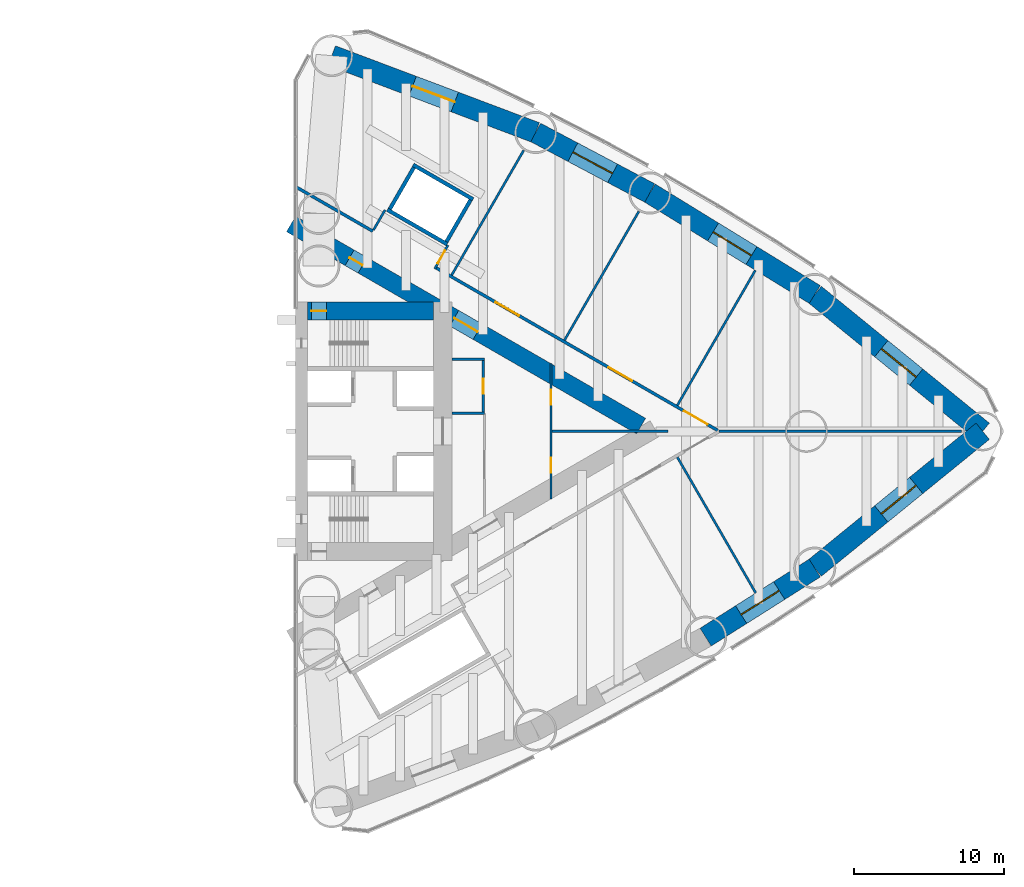
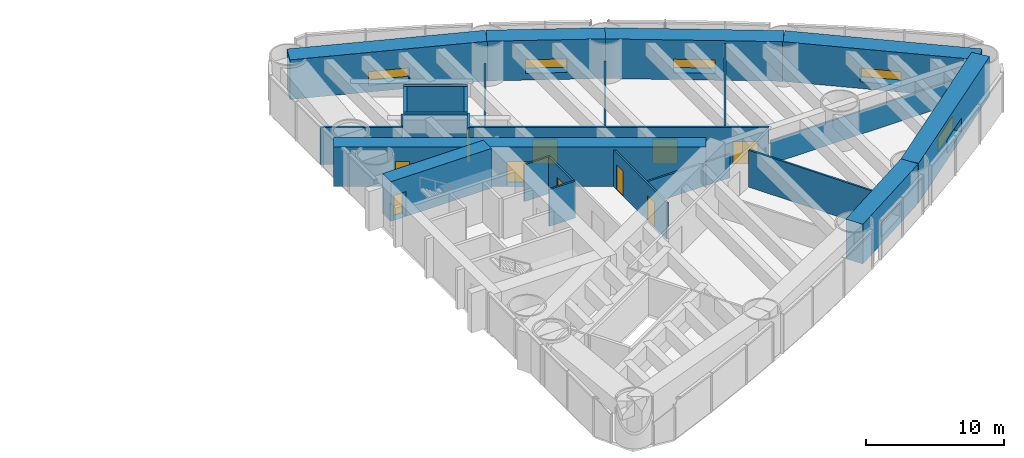
# One storey, part 18 of 20: 26 walls, 10 doors, 6 windows, 16 openings.
"""IFC4 building model written with IfcOpenShell, lengths in metres."""

from ifc_helpers import new_model, si_unit, direction, frame, frame_2d, origin, place, context, subcontext, project, spatial, rectangle, extrude, material, layer, layer_set, type_object, element, fill, save


model = new_model("IFC4")

# Units and contexts
model_context = context("Model", 3, precision=1e-05, world=origin(), true_north=direction((0.0, 1.0)))
body_context = subcontext(model_context, "Body", "Model", "MODEL_VIEW")
ifc_project = project(units=[si_unit("LENGTHUNIT", "METRE"), si_unit("AREAUNIT", "SQUARE_METRE"), si_unit("VOLUMEUNIT", "CUBIC_METRE"), si_unit("PLANEANGLEUNIT", "RADIAN"), si_unit("MASSUNIT", "GRAM", prefix="KILO")], contexts=[model_context])

# Site, building, storey
site_placement = place(None, origin())
site = spatial("IfcSite", under=ifc_project, at=site_placement, CompositionType="ELEMENT")
building_placement = place(site_placement, origin())
building = spatial("IfcBuilding", under=site, at=building_placement, Name="Lancet Gate Hotel", CompositionType="ELEMENT")
storey_placement = place(building_placement, frame((0.0, 0.0, 77.5)))
storey = spatial("IfcBuildingStorey", under=building, at=storey_placement, Name="L20", CompositionType="ELEMENT", Elevation=77.5)

# Wall, opening, window
ifc_material_1 = material(Name="Concrete C80/95", Category="concrete")
ifc_layer_1 = layer(ifc_material_1, 1.39990234375)
ifc_layer_set_1 = layer_set([ifc_layer_1], Name="Belt wall 1400")
wall_type_1 = type_object("IfcWallType", Name="Belt wall 1400", PredefinedType="SHEAR", material=ifc_layer_set_1)
wall_1_placement = place(storey_placement, frame((54.795166015625, -13.70068359375, 0.0), z_axis=(0.0, 0.0, 1.0), x_axis=(0.845078312276, 0.534642540508, 0.0)))
wall_1 = element("IfcWall", 1, at=wall_1_placement, inside=storey, type_object=wall_type_1, Name="T2 belt wall OS2-OS3 L20", PredefinedType="SHEAR", context=body_context, shape_type="SweptSolid", body=[
    extrude(rectangle(XDim=8.595947265625, YDim=1.39990234375, at=frame_2d((4.2978515625, 0.0))), origin(), (0.0, 0.0, 1.0), 3.5),
])
opening_1_placement = place(wall_1_placement, frame((2.7978515625, 0.0, 0.60009765625)))
opening_1 = element("IfcOpeningElement", 2, at=opening_1_placement, cuts=wall_1, Name="Opening LV1", PredefinedType="OPENING", context=body_context, shape_type="SweptSolid", body=[
    extrude(rectangle(XDim=3.0, YDim=1.199951171875, at=frame_2d((1.5, 0.60009765625))), frame((0.0, 0.7099609375, 0.0), z_axis=(0.0, -1.0, 0.0), x_axis=(1.0, 0.0, 0.0)), (0.0, 0.0, 1.0), 1.419921875),
])
ifc_material_2 = material(Name="Aluminium weather louvre", Category="aluminium")
window_type = type_object("IfcWindowType", Name="Refuge louvre 3000x1200", PartitioningType="SINGLE_PANEL", PredefinedType="WINDOW", material=ifc_material_2)
window_1_placement = place(opening_1_placement, origin())
window_1 = element("IfcWindow", 3, at=window_1_placement, inside=storey, type_object=window_type, Name="T2 belt louvre OS2-OS3 L20", OverallHeight=1.199951171875, OverallWidth=3.0, PartitioningType="SINGLE_PANEL", PredefinedType="WINDOW", context=body_context, shape_type="SweptSolid", body=[
    extrude(rectangle(XDim=3.0, YDim=1.199951171875, at=frame_2d((1.5, 0.60009765625))), frame((0.0, 0.030029296875, 0.0), z_axis=(0.0, -1.0, 0.0), x_axis=(1.0, 0.0, 0.0)), (0.0, 0.0, 1.0), 0.06005859375),
])
fill(opening_1, window_1)

wall_2_placement = place(storey_placement, frame((62.059326171875, -9.10498046875, 0.0), z_axis=(0.0, 0.0, 1.0), x_axis=(0.775390970005, 0.631481467372, 0.0)))
wall_2 = element("IfcWall", 4, at=wall_2_placement, inside=storey, type_object=wall_type_1, Name="T2 belt wall OS3-CA L20", PredefinedType="SHEAR", context=body_context, shape_type="SweptSolid", body=[
    extrude(rectangle(XDim=14.41845703125, YDim=1.39990234375, at=frame_2d((7.209228515625, 0.0))), origin(), (0.0, 0.0, 1.0), 3.5),
])
opening_2_placement = place(wall_2_placement, frame((5.709228515625, 0.0, 0.60009765625)))
opening_2 = element("IfcOpeningElement", 5, at=opening_2_placement, cuts=wall_2, Name="Opening LV1", PredefinedType="OPENING", context=body_context, shape_type="SweptSolid", body=[
    extrude(rectangle(XDim=3.0, YDim=1.199951171875, at=frame_2d((1.5, 0.60009765625))), frame((0.0, 0.7099609375, 0.0), z_axis=(0.0, -1.0, 0.0), x_axis=(1.0, 0.0, 0.0)), (0.0, 0.0, 1.0), 1.419921875),
])
window_2_placement = place(opening_2_placement, origin())
window_2 = element("IfcWindow", 6, at=window_2_placement, inside=storey, type_object=window_type, Name="T2 belt louvre OS3-CA L20", OverallHeight=1.199951171875, OverallWidth=3.0, PartitioningType="SINGLE_PANEL", PredefinedType="WINDOW", context=body_context, shape_type="SweptSolid", body=[
    extrude(rectangle(XDim=3.0, YDim=1.199951171875, at=frame_2d((1.5, 0.60009765625))), frame((0.0, 0.030029296875, 0.0), z_axis=(0.0, -1.0, 0.0), x_axis=(1.0, 0.0, 0.0)), (0.0, 0.0, 1.0), 0.06005859375),
])
fill(opening_2, window_2)

wall_3_placement = place(storey_placement, frame((73.2392578125, 0.0, 0.0), z_axis=(0.0, 0.0, 1.0), x_axis=(-0.775390970005, 0.631481467372, 0.0)))
wall_3 = element("IfcWall", 7, at=wall_3_placement, inside=storey, type_object=wall_type_1, Name="T2 belt wall CA-ON1 L20", PredefinedType="SHEAR", context=body_context, shape_type="SweptSolid", body=[
    extrude(rectangle(XDim=14.41845703125, YDim=1.39990234375, at=frame_2d((7.209228515625, 0.0))), origin(), (0.0, 0.0, 1.0), 3.5),
])
opening_3_placement = place(wall_3_placement, frame((5.709228515625, 0.0, 0.60009765625)))
opening_3 = element("IfcOpeningElement", 8, at=opening_3_placement, cuts=wall_3, Name="Opening LV1", PredefinedType="OPENING", context=body_context, shape_type="SweptSolid", body=[
    extrude(rectangle(XDim=3.0, YDim=1.199951171875, at=frame_2d((1.5, 0.60009765625))), frame((0.0, 0.7099609375, 0.0), z_axis=(0.0, -1.0, 0.0), x_axis=(1.0, 0.0, 0.0)), (0.0, 0.0, 1.0), 1.419921875),
])
window_3_placement = place(opening_3_placement, origin())
window_3 = element("IfcWindow", 9, at=window_3_placement, inside=storey, type_object=window_type, Name="T2 belt louvre CA-ON1 L20", OverallHeight=1.199951171875, OverallWidth=3.0, PartitioningType="SINGLE_PANEL", PredefinedType="WINDOW", context=body_context, shape_type="SweptSolid", body=[
    extrude(rectangle(XDim=3.0, YDim=1.199951171875, at=frame_2d((1.5, 0.60009765625))), frame((0.0, 0.030029296875, 0.0), z_axis=(0.0, -1.0, 0.0), x_axis=(1.0, 0.0, 0.0)), (0.0, 0.0, 1.0), 0.06005859375),
])
fill(opening_3, window_3)

wall_4_placement = place(storey_placement, frame((62.059326171875, 9.10498046875, 0.0), z_axis=(0.0, 0.0, 1.0), x_axis=(-0.851815628025, 0.523841708775, 0.0)))
wall_4 = element("IfcWall", 10, at=wall_4_placement, inside=storey, type_object=wall_type_1, Name="T2 belt wall ON1-ON2 L20", PredefinedType="SHEAR", context=body_context, shape_type="SweptSolid", body=[
    extrude(rectangle(XDim=12.89208984375, YDim=1.39990234375, at=frame_2d((6.446044921875, 0.0))), origin(), (0.0, 0.0, 1.0), 3.5),
])
opening_4_placement = place(wall_4_placement, frame((4.946044921875, 0.0, 0.60009765625)))
opening_4 = element("IfcOpeningElement", 11, at=opening_4_placement, cuts=wall_4, Name="Opening LV1", PredefinedType="OPENING", context=body_context, shape_type="SweptSolid", body=[
    extrude(rectangle(XDim=3.0, YDim=1.199951171875, at=frame_2d((1.5, 0.60009765625))), frame((0.0, 0.7099609375, 0.0), z_axis=(0.0, -1.0, 0.0), x_axis=(1.0, 0.0, 0.0)), (0.0, 0.0, 1.0), 1.419921875),
])
window_4_placement = place(opening_4_placement, origin())
window_4 = element("IfcWindow", 12, at=window_4_placement, inside=storey, type_object=window_type, Name="T2 belt louvre ON1-ON2 L20", OverallHeight=1.199951171875, OverallWidth=3.0, PartitioningType="SINGLE_PANEL", PredefinedType="WINDOW", context=body_context, shape_type="SweptSolid", body=[
    extrude(rectangle(XDim=3.0, YDim=1.199951171875, at=frame_2d((1.5, 0.60009765625))), frame((0.0, 0.030029296875, 0.0), z_axis=(0.0, -1.0, 0.0), x_axis=(1.0, 0.0, 0.0)), (0.0, 0.0, 1.0), 0.06005859375),
])
fill(opening_4, window_4)

wall_5_placement = place(storey_placement, frame((51.07763671875, 15.8583984375, 0.0), z_axis=(0.0, 0.0, 1.0), x_axis=(-0.883403493655, 0.46861313191, 0.0)))
wall_5 = element("IfcWall", 13, at=wall_5_placement, inside=storey, type_object=wall_type_1, Name="T2 belt wall ON2-ON3 L20", PredefinedType="SHEAR", context=body_context, shape_type="SweptSolid", body=[
    extrude(rectangle(XDim=8.595703125, YDim=1.39990234375, at=frame_2d((4.2978515625, 0.0))), origin(), (0.0, 0.0, 1.0), 3.5),
])
opening_5_placement = place(wall_5_placement, frame((2.7978515625, 0.0, 0.60009765625)))
opening_5 = element("IfcOpeningElement", 14, at=opening_5_placement, cuts=wall_5, Name="Opening LV1", PredefinedType="OPENING", context=body_context, shape_type="SweptSolid", body=[
    extrude(rectangle(XDim=3.0, YDim=1.199951171875, at=frame_2d((1.5, 0.60009765625))), frame((0.0, 0.7099609375, 0.0), z_axis=(0.0, -1.0, 0.0), x_axis=(1.0, 0.0, 0.0)), (0.0, 0.0, 1.0), 1.419921875),
])
window_5_placement = place(opening_5_placement, origin())
window_5 = element("IfcWindow", 15, at=window_5_placement, inside=storey, type_object=window_type, Name="T2 belt louvre ON2-ON3 L20", OverallHeight=1.199951171875, OverallWidth=3.0, PartitioningType="SINGLE_PANEL", PredefinedType="WINDOW", context=body_context, shape_type="SweptSolid", body=[
    extrude(rectangle(XDim=3.0, YDim=1.199951171875, at=frame_2d((1.5, 0.60009765625))), frame((0.0, 0.030029296875, 0.0), z_axis=(0.0, -1.0, 0.0), x_axis=(1.0, 0.0, 0.0)), (0.0, 0.0, 1.0), 0.06005859375),
])
fill(opening_5, window_5)

wall_6_placement = place(storey_placement, frame((43.484130859375, 19.886474609375, 0.0), z_axis=(0.0, 0.0, 1.0), x_axis=(-0.935736448066, 0.352700013836, 0.0)))
wall_6 = element("IfcWall", 16, at=wall_6_placement, inside=storey, type_object=wall_type_1, Name="T2 belt wall ON3-CN L20", PredefinedType="SHEAR", context=body_context, shape_type="SweptSolid", body=[
    extrude(rectangle(XDim=14.505126953125, YDim=1.39990234375, at=frame_2d((7.25244140625, 0.0))), origin(), (0.0, 0.0, 1.0), 3.5),
])
opening_6_placement = place(wall_6_placement, frame((5.75244140625, 0.0, 0.60009765625)))
opening_6 = element("IfcOpeningElement", 17, at=opening_6_placement, cuts=wall_6, Name="Opening LV1", PredefinedType="OPENING", context=body_context, shape_type="SweptSolid", body=[
    extrude(rectangle(XDim=3.0, YDim=1.199951171875, at=frame_2d((1.5, 0.60009765625))), frame((0.0, 0.7099609375, 0.0), z_axis=(0.0, -1.0, 0.0), x_axis=(1.0, 0.0, 0.0)), (0.0, 0.0, 1.0), 1.419921875),
])
window_6_placement = place(opening_6_placement, origin())
window_6 = element("IfcWindow", 18, at=window_6_placement, inside=storey, type_object=window_type, Name="T2 belt louvre ON3-CN L20", OverallHeight=1.199951171875, OverallWidth=3.0, PartitioningType="SINGLE_PANEL", PredefinedType="WINDOW", context=body_context, shape_type="SweptSolid", body=[
    extrude(rectangle(XDim=3.0, YDim=1.199951171875, at=frame_2d((1.5, 0.60009765625))), frame((0.0, 0.030029296875, 0.0), z_axis=(0.0, -1.0, 0.0), x_axis=(1.0, 0.0, 0.0)), (0.0, 0.0, 1.0), 0.06005859375),
])
fill(opening_6, window_6)

# Wall, openings, doors
ifc_material_3 = material(Name="Concrete C70/85", Category="concrete")
ifc_layer_2 = layer(ifc_material_3, 1.199951171875)
ifc_layer_set_2 = layer_set([ifc_layer_2], Name="Buttress wall 1200")
wall_type_2 = type_object("IfcWallType", Name="Buttress wall 1200", PredefinedType="SHEAR", material=ifc_layer_set_2)
wall_7_placement = place(storey_placement, frame((27.199951171875, 13.800048828125, 0.0), z_axis=(0.0, 0.0, 1.0), x_axis=(0.866024515034, -0.500001539357, 0.0)))
wall_7 = element("IfcWall", 19, at=wall_7_placement, inside=storey, type_object=wall_type_2, Name="T2 buttress wall N L20", PredefinedType="SHEAR", context=body_context, shape_type="SweptSolid", body=[
    extrude(rectangle(XDim=26.9072265625, YDim=1.199951171875, at=frame_2d((13.45361328125, 0.0))), origin(), (0.0, 0.0, 1.0), 3.5),
])
opening_7_placement = place(wall_7_placement, frame((4.5, 0.0, 0.0)))
opening_7 = element("IfcOpeningElement", 20, at=opening_7_placement, cuts=wall_7, Name="Opening T2-L20-LN", PredefinedType="OPENING", context=body_context, shape_type="SweptSolid", body=[
    extrude(rectangle(XDim=1.0, YDim=2.199951171875, at=frame_2d((0.5, 1.10009765625))), frame((0.0, 0.60986328125, 0.0), z_axis=(0.0, -1.0, 0.0), x_axis=(1.0, 0.0, 0.0)), (0.0, 0.0, 1.0), 1.219970703125),
])
opening_8_placement = place(wall_7_placement, frame((12.544921875, 0.0, 0.0)))
opening_8 = element("IfcOpeningElement", 21, at=opening_8_placement, cuts=wall_7, Name="Opening T2-L20-LHN", PredefinedType="OPENING", context=body_context, shape_type="SweptSolid", body=[
    extrude(rectangle(XDim=1.800048828125, YDim=2.199951171875, at=frame_2d((0.89990234375, 1.10009765625))), frame((0.0, 0.60986328125, 0.0), z_axis=(0.0, -1.0, 0.0), x_axis=(1.0, 0.0, 0.0)), (0.0, 0.0, 1.0), 1.219970703125),
])
ifc_material_4 = material(Name="Timber door set", Category="wood")
door_type_1 = type_object("IfcDoorType", Name="Lobby double door 1800", OperationType="DOUBLE_DOOR_SINGLE_SWING", PredefinedType="DOOR", material=ifc_material_4)
door_1_placement = place(opening_8_placement, origin())
door_1 = element("IfcDoor", 22, at=door_1_placement, inside=storey, type_object=door_type_1, Name="T2-L20-LHN", OperationType="DOUBLE_DOOR_SINGLE_SWING", OverallHeight=2.199951171875, OverallWidth=1.800048828125, PredefinedType="DOOR", context=body_context, shape_type="SweptSolid", body=[
    extrude(rectangle(XDim=1.800048828125, YDim=2.199951171875, at=frame_2d((0.89990234375, 1.10009765625))), frame((0.0, 0.02490234375, 0.0), z_axis=(0.0, -1.0, 0.0), x_axis=(1.0, 0.0, 0.0)), (0.0, 0.0, 1.0), 0.050048828125),
])
fill(opening_8, door_1)
ifc_material_5 = material(Name="Timber door set", Category="wood")
door_type_2 = type_object("IfcDoorType", Name="Stair lobby door 1000", OperationType="SINGLE_SWING_LEFT", PredefinedType="DOOR", material=ifc_material_5)
door_2_placement = place(opening_7_placement, origin())
door_2 = element("IfcDoor", 23, at=door_2_placement, inside=storey, type_object=door_type_2, Name="T2-L20-LN", OperationType="SINGLE_SWING_LEFT", OverallHeight=2.199951171875, OverallWidth=1.0, PredefinedType="DOOR", context=body_context, shape_type="SweptSolid", body=[
    extrude(rectangle(XDim=1.0, YDim=2.199951171875, at=frame_2d((0.5, 1.10009765625))), frame((0.0, 0.02490234375, 0.0), z_axis=(0.0, -1.0, 0.0), x_axis=(1.0, 0.0, 0.0)), (0.0, 0.0, 1.0), 0.050048828125),
])
fill(opening_7, door_2)

# Wall, opening, door
ifc_material_6 = material(Name="Concrete C70/85", Category="concrete")
ifc_layer_3 = layer(ifc_material_6, 1.199951171875)
ifc_layer_set_3 = layer_set([ifc_layer_3], Name="Core wall 1200")
wall_type_3 = type_object("IfcWallType", Name="Core wall 1200", PredefinedType="SHEAR", material=ifc_layer_set_3)
wall_8_placement = place(storey_placement, frame((28.300048828125, 8.0, 0.0), z_axis=(0.0, 0.0, 1.0), x_axis=(1.0, 0.0, 0.0)))
wall_8 = element("IfcWall", 24, at=wall_8_placement, inside=storey, type_object=wall_type_3, Name="T2 core wall side-N L20", PredefinedType="SHEAR", context=body_context, shape_type="SweptSolid", body=[
    extrude(rectangle(XDim=8.39990234375, YDim=1.199951171875, at=frame_2d((4.199951171875, 0.0))), origin(), (0.0, 0.0, 1.0), 3.5),
])
opening_9_placement = place(wall_8_placement, frame((0.25, 0.0, 0.0)))
opening_9 = element("IfcOpeningElement", 25, at=opening_9_placement, cuts=wall_8, Name="Opening T2-L20-ST2", PredefinedType="OPENING", context=body_context, shape_type="SweptSolid", body=[
    extrude(rectangle(XDim=1.0, YDim=2.199951171875, at=frame_2d((0.5, 1.10009765625))), frame((0.0, 0.60986328125, 0.0), z_axis=(0.0, -1.0, 0.0), x_axis=(1.0, 0.0, 0.0)), (0.0, 0.0, 1.0), 1.219970703125),
])
ifc_material_7 = material(Name="Timber door set", Category="wood")
door_type_3 = type_object("IfcDoorType", Name="Stair door 1000", OperationType="SINGLE_SWING_RIGHT", PredefinedType="DOOR", material=ifc_material_7)
door_3_placement = place(opening_9_placement, origin())
door_3 = element("IfcDoor", 26, at=door_3_placement, inside=storey, type_object=door_type_3, Name="T2-L20-ST2", OperationType="SINGLE_SWING_RIGHT", OverallHeight=2.199951171875, OverallWidth=1.0, PredefinedType="DOOR", context=body_context, shape_type="SweptSolid", body=[
    extrude(rectangle(XDim=1.0, YDim=2.199951171875, at=frame_2d((0.5, 1.10009765625))), frame((0.0, 0.02490234375, 0.0), z_axis=(0.0, -1.0, 0.0), x_axis=(1.0, 0.0, 0.0)), (0.0, 0.0, 1.0), 0.050048828125),
])
fill(opening_9, door_3)

# Wall
ifc_material_8 = material(Name="Gypsum board partition")
ifc_layer_4 = layer(ifc_material_8, 0.199951171875)
ifc_layer_set_4 = layer_set([ifc_layer_4], Name="Corridor wall 200")
wall_type_4 = type_object("IfcWallType", Name="Corridor wall 200", PredefinedType="PARTITIONING", material=ifc_layer_set_4)
wall_9_placement = place(storey_placement, frame((27.5, 16.282470703125, 0.0), z_axis=(0.0, 0.0, 1.0), x_axis=(0.866038377622, -0.499977527982, 0.0)))
element("IfcWall", 27, at=wall_9_placement, inside=storey, type_object=wall_type_4, Name="T2 corridor wall 200 L20", PredefinedType="PARTITIONING", context=body_context, shape_type="SweptSolid", body=[
    extrude(rectangle(XDim=5.937744140625, YDim=0.199951171875, at=frame_2d((2.96875, 0.0))), origin(), (0.0, 0.0, 1.0), 3.25),
])

# Wall, openings, doors
wall_10_placement = place(storey_placement, frame((36.833984375, 10.8935546875, 0.0), z_axis=(0.0, 0.0, 1.0), x_axis=(0.866028157229, -0.499995230863, 0.0)))
wall_10 = element("IfcWall", 28, at=wall_10_placement, inside=storey, type_object=wall_type_4, Name="T2 corridor wall 200 L20", PredefinedType="PARTITIONING", context=body_context, shape_type="SweptSolid", body=[
    extrude(rectangle(XDim=21.667236328125, YDim=0.199951171875, at=frame_2d((10.83349609375, 0.0))), origin(), (0.0, 0.0, 1.0), 3.25),
])
opening_10_placement = place(wall_10_placement, frame((19.076416015625, 0.0, 0.0)))
opening_10 = element("IfcOpeningElement", 29, at=opening_10_placement, cuts=wall_10, Name="Opening T2-L20-A05", PredefinedType="OPENING", context=body_context, shape_type="SweptSolid", body=[
    extrude(rectangle(XDim=1.800048828125, YDim=2.0400390625, at=frame_2d((0.89990234375, 1.02001953125))), frame((0.0, 0.10986328125, 0.0), z_axis=(0.0, -1.0, 0.0), x_axis=(1.0, 0.0, 0.0)), (0.0, 0.0, 1.0), 0.219970703125),
])
opening_11_placement = place(wall_10_placement, frame((13.273681640625, 0.0, 0.0)))
opening_11 = element("IfcOpeningElement", 30, at=opening_11_placement, cuts=wall_10, Name="Opening T2-L20-A06", PredefinedType="OPENING", context=body_context, shape_type="SweptSolid", body=[
    extrude(rectangle(XDim=1.800048828125, YDim=2.199951171875, at=frame_2d((0.89990234375, 1.10009765625))), frame((0.0, 0.10986328125, 0.0), z_axis=(0.0, -1.0, 0.0), x_axis=(1.0, 0.0, 0.0)), (0.0, 0.0, 1.0), 0.219970703125),
])
opening_12_placement = place(wall_10_placement, frame((4.60205078125, 0.0, 0.0)))
opening_12 = element("IfcOpeningElement", 31, at=opening_12_placement, cuts=wall_10, Name="Opening T2-L20-A07", PredefinedType="OPENING", context=body_context, shape_type="SweptSolid", body=[
    extrude(rectangle(XDim=1.800048828125, YDim=2.199951171875, at=frame_2d((0.89990234375, 1.10009765625))), frame((0.0, 0.10986328125, 0.0), z_axis=(0.0, -1.0, 0.0), x_axis=(1.0, 0.0, 0.0)), (0.0, 0.0, 1.0), 0.219970703125),
])
ifc_material_9 = material(Name="Timber door set", Category="wood")
door_type_4 = type_object("IfcDoorType", Name="Double door 1800", OperationType="DOUBLE_DOOR_SINGLE_SWING", PredefinedType="DOOR", material=ifc_material_9)
door_4_placement = place(opening_11_placement, origin())
door_4 = element("IfcDoor", 32, at=door_4_placement, inside=storey, type_object=door_type_4, Name="T2-L20-A06", OperationType="DOUBLE_DOOR_SINGLE_SWING", OverallHeight=2.199951171875, OverallWidth=1.800048828125, PredefinedType="DOOR", context=body_context, shape_type="SweptSolid", body=[
    extrude(rectangle(XDim=1.800048828125, YDim=2.199951171875, at=frame_2d((0.89990234375, 1.10009765625))), frame((0.0, 0.02490234375, 0.0), z_axis=(0.0, -1.0, 0.0), x_axis=(1.0, 0.0, 0.0)), (0.0, 0.0, 1.0), 0.050048828125),
])
fill(opening_11, door_4)
door_5_placement = place(opening_12_placement, origin())
door_5 = element("IfcDoor", 33, at=door_5_placement, inside=storey, type_object=door_type_4, Name="T2-L20-A07", OperationType="DOUBLE_DOOR_SINGLE_SWING", OverallHeight=2.199951171875, OverallWidth=1.800048828125, PredefinedType="DOOR", context=body_context, shape_type="SweptSolid", body=[
    extrude(rectangle(XDim=1.800048828125, YDim=2.199951171875, at=frame_2d((0.89990234375, 1.10009765625))), frame((0.0, 0.02490234375, 0.0), z_axis=(0.0, -1.0, 0.0), x_axis=(1.0, 0.0, 0.0)), (0.0, 0.0, 1.0), 0.050048828125),
])
fill(opening_12, door_5)
ifc_material_10 = material(Name="Timber door set", Category="wood")
door_type_5 = type_object("IfcDoorType", Name="Double door 1800, 2040 high", OperationType="DOUBLE_DOOR_SINGLE_SWING", PredefinedType="DOOR", material=ifc_material_10)
door_6_placement = place(opening_10_placement, origin())
door_6 = element("IfcDoor", 34, at=door_6_placement, inside=storey, type_object=door_type_5, Name="T2-L20-A05", OperationType="DOUBLE_DOOR_SINGLE_SWING", OverallHeight=2.0400390625, OverallWidth=1.800048828125, PredefinedType="DOOR", context=body_context, shape_type="SweptSolid", body=[
    extrude(rectangle(XDim=1.800048828125, YDim=2.0400390625, at=frame_2d((0.89990234375, 1.02001953125))), frame((0.0, 0.02490234375, 0.0), z_axis=(0.0, -1.0, 0.0), x_axis=(1.0, 0.0, 0.0)), (0.0, 0.0, 1.0), 0.050048828125),
])
fill(opening_10, door_6)

# Walls
ifc_material_11 = material(Name="Gypsum board partition")
ifc_layer_5 = layer(ifc_material_11, 0.25)
ifc_layer_set_5 = layer_set([ifc_layer_5], Name="Lift shaft partition 250")
wall_type_5 = type_object("IfcWallType", Name="Lift shaft partition 250", PredefinedType="PARTITIONING", material=ifc_layer_set_5)
for number, where, z_axis, x_axis, name in (
    (35, (33.6083984375, 14.747314453125, 0.0), (0.0, 0.0, 1.0), (0.866043305498, -0.49996899204, 0.0), "T2 lift shaft wall EX L20"),
    (36, (35.33349609375, 17.73583984375, 0.0), (0.0, 0.0, 1.0), (0.866043305498, -0.49996899204, 0.0), "T2 lift shaft wall EX L20"),
):
    element("IfcWall", number, at=place(storey_placement, frame(where, z_axis=z_axis, x_axis=x_axis)), inside=storey, type_object=wall_type_5, Name=name, PredefinedType="PARTITIONING", context=body_context, shape_type="SweptSolid", body=[
        extrude(rectangle(XDim=4.600341796875, YDim=0.25, at=frame_2d((2.30029296875, 0.0))), origin(), (0.0, 0.0, 1.0), 3.25),
    ])
for number, where, z_axis, x_axis, name in (
    (37, (33.779296875, 14.79296875, 0.0), (0.0, 0.0, 1.0), (0.499929347863, 0.866066190972, 0.0), "T2 lift shaft wall EX L20"),
    (38, (37.546630859375, 12.617919921875, 0.0), (0.0, 0.0, 1.0), (0.499929347863, 0.866066190972, 0.0), "T2 lift shaft wall EX L20"),
):
    element("IfcWall", number, at=place(storey_placement, frame(where, z_axis=z_axis, x_axis=x_axis)), inside=storey, type_object=wall_type_5, Name=name, PredefinedType="PARTITIONING", context=body_context, shape_type="SweptSolid", body=[
        extrude(rectangle(XDim=3.20068359375, YDim=0.25, at=frame_2d((1.600341796875, 0.0))), origin(), (0.0, 0.0, 1.0), 3.25),
    ])
ifc_material_12 = material(Name="Gypsum board partition")
ifc_layer_6 = layer(ifc_material_12, 0.14990234375)
ifc_layer_set_6 = layer_set([ifc_layer_6], Name="Party wall 150")
wall_type_6 = type_object("IfcWallType", Name="Party wall 150", PredefinedType="PARTITIONING", material=ifc_layer_set_6)
wall_11_placement = place(storey_placement, frame((52.914794921875, -1.724853515625, 0.0), z_axis=(0.0, 0.0, 1.0), x_axis=(0.499991830914, -0.866030120157, 0.0)))
element("IfcWall", 39, at=wall_11_placement, inside=storey, type_object=wall_type_6, Name="T2 party wall 150 L20", PredefinedType="PARTITIONING", context=body_context, shape_type="SweptSolid", body=[
    extrude(rectangle(XDim=10.434326171875, YDim=0.14990234375, at=frame_2d((5.21728515625, 0.0))), origin(), (0.0, 0.0, 1.0), 3.25),
])
wall_12_placement = place(storey_placement, frame((37.895263671875, 10.396484375, 0.0), z_axis=(0.0, 0.0, 1.0), x_axis=(0.499995616528, 0.866027934568, 0.0)))
element("IfcWall", 40, at=wall_12_placement, inside=storey, type_object=wall_type_6, Name="T2 party wall 150 L20", PredefinedType="PARTITIONING", context=body_context, shape_type="SweptSolid", body=[
    extrude(rectangle(XDim=9.59326171875, YDim=0.14990234375, at=frame_2d((4.796630859375, 0.0))), origin(), (0.0, 0.0, 1.0), 2.050048828125),
])
wall_13_placement = place(storey_placement, frame((45.40283203125, 6.061767578125, 0.0), z_axis=(0.0, 0.0, 1.0), x_axis=(0.500013434677, 0.866017647131, 0.0)))
element("IfcWall", 41, at=wall_13_placement, inside=storey, type_object=wall_type_6, Name="T2 party wall 150 L20", PredefinedType="PARTITIONING", context=body_context, shape_type="SweptSolid", body=[
    extrude(rectangle(XDim=9.901611328125, YDim=0.14990234375, at=frame_2d((4.95068359375, 0.0))), origin(), (0.0, 0.0, 1.0), 2.050048828125),
])
wall_14_placement = place(storey_placement, frame((52.914794921875, 1.724853515625, 0.0), z_axis=(0.0, 0.0, 1.0), x_axis=(0.499986436127, 0.866033234748, 0.0)))
element("IfcWall", 42, at=wall_14_placement, inside=storey, type_object=wall_type_6, Name="T2 party wall 150 L20", PredefinedType="PARTITIONING", context=body_context, shape_type="SweptSolid", body=[
    extrude(rectangle(XDim=10.380615234375, YDim=0.14990234375, at=frame_2d((5.1904296875, 0.0))), origin(), (0.0, 0.0, 1.0), 3.25),
])
wall_15_placement = place(storey_placement, frame((55.7021484375, 0.0, 0.0), z_axis=(0.0, 0.0, 1.0), x_axis=(1.0, 0.0, 0.0)))
element("IfcWall", 43, at=wall_15_placement, inside=storey, type_object=wall_type_6, Name="T2 party wall 150 L20", PredefinedType="PARTITIONING", context=body_context, shape_type="SweptSolid", body=[
    extrude(rectangle(XDim=16.116943359375, YDim=0.14990234375, at=frame_2d((8.05859375, 0.0))), origin(), (0.0, 0.0, 1.0), 2.050048828125),
])

# Wall, opening, door
ifc_material_13 = material(Name="Gypsum board partition")
ifc_layer_7 = layer(ifc_material_13, 0.14990234375)
ifc_layer_set_7 = layer_set([ifc_layer_7], Name="Service room wall 150")
wall_type_7 = type_object("IfcWallType", Name="Service room wall 150", PredefinedType="PARTITIONING", material=ifc_layer_set_7)
wall_16_placement = place(storey_placement, frame((36.77099609375, 10.814453125, 0.0), z_axis=(0.0, 0.0, 1.0), x_axis=(0.485585508183, 0.874189175317, 0.0)))
wall_16 = element("IfcWall", 44, at=wall_16_placement, inside=storey, type_object=wall_type_7, Name="T2 service room wall 150 L20", PredefinedType="PARTITIONING", context=body_context, shape_type="SweptSolid", body=[
    extrude(rectangle(XDim=1.804931640625, YDim=0.14990234375, at=frame_2d((0.90234375, 0.0))), origin(), (0.0, 0.0, 1.0), 3.25),
])
opening_13_placement = place(wall_16_placement, frame((0.402587890625, 0.0, 0.0)))
opening_13 = element("IfcOpeningElement", 45, at=opening_13_placement, cuts=wall_16, Name="Opening T2-L20-A08", PredefinedType="OPENING", context=body_context, shape_type="SweptSolid", body=[
    extrude(rectangle(XDim=1.0, YDim=2.0400390625, at=frame_2d((0.5, 1.02001953125))), frame((0.0, 0.0849609375, 0.0), z_axis=(0.0, -1.0, 0.0), x_axis=(1.0, 0.0, 0.0)), (0.0, 0.0, 1.0), 0.169921875),
])
ifc_material_14 = material(Name="Timber door set", Category="wood")
door_type_6 = type_object("IfcDoorType", Name="Service door 1000, 2040 high", OperationType="SINGLE_SWING_LEFT", PredefinedType="DOOR", material=ifc_material_14)
door_7_placement = place(opening_13_placement, origin())
door_7 = element("IfcDoor", 46, at=door_7_placement, inside=storey, type_object=door_type_6, Name="T2-L20-A08", OperationType="SINGLE_SWING_LEFT", OverallHeight=2.0400390625, OverallWidth=1.0, PredefinedType="DOOR", context=body_context, shape_type="SweptSolid", body=[
    extrude(rectangle(XDim=1.0, YDim=2.0400390625, at=frame_2d((0.5, 1.02001953125))), frame((0.0, 0.02490234375, 0.0), z_axis=(0.0, -1.0, 0.0), x_axis=(1.0, 0.0, 0.0)), (0.0, 0.0, 1.0), 0.050048828125),
])
fill(opening_13, door_7)

# Walls
wall_17_placement = place(storey_placement, frame((32.6923828125, 13.400390625, 0.0), z_axis=(0.0, 0.0, 1.0), x_axis=(0.499985008713, 0.866034058835, 0.0)))
element("IfcWall", 47, at=wall_17_placement, inside=storey, type_object=wall_type_7, Name="T2 service room wall 150 L20", PredefinedType="PARTITIONING", context=body_context, shape_type="SweptSolid", body=[
    extrude(rectangle(XDim=1.529296875, YDim=0.14990234375, at=frame_2d((0.7646484375, 0.0))), origin(), (0.0, 0.0, 1.0), 3.25),
])
for number, where, z_axis, x_axis, name in (
    (48, (37.89990234375, 1.199951171875, 0.0), (0.0, 0.0, 1.0), (1.0, 0.0, 0.0), "T2 service room wall 150 L20"),
    (49, (37.89990234375, 4.800048828125, 0.0), (0.0, 0.0, 1.0), (1.0, 0.0, 0.0), "T2 service room wall 150 L20"),
):
    element("IfcWall", number, at=place(storey_placement, frame(where, z_axis=z_axis, x_axis=x_axis)), inside=storey, type_object=wall_type_7, Name=name, PredefinedType="PARTITIONING", context=body_context, shape_type="SweptSolid", body=[
        extrude(rectangle(XDim=2.175048828125, YDim=0.14990234375, at=frame_2d((1.08740234375, 0.0))), origin(), (0.0, 0.0, 1.0), 3.25),
    ])

# Wall, opening, door
wall_18_placement = place(storey_placement, frame((40.0, 1.125, 0.0), z_axis=(0.0, 0.0, 1.0), x_axis=(0.0, 1.0, 0.0)))
wall_18 = element("IfcWall", 50, at=wall_18_placement, inside=storey, type_object=wall_type_7, Name="T2 service room wall 150 L20", PredefinedType="PARTITIONING", context=body_context, shape_type="SweptSolid", body=[
    extrude(rectangle(XDim=3.75, YDim=0.14990234375, at=frame_2d((1.875, 0.0))), origin(), (0.0, 0.0, 1.0), 3.25),
])
opening_14_placement = place(wall_18_placement, frame((1.375, 0.0, 0.0)))
opening_14 = element("IfcOpeningElement", 51, at=opening_14_placement, cuts=wall_18, Name="Opening T2-L20-HRN0", PredefinedType="OPENING", context=body_context, shape_type="SweptSolid", body=[
    extrude(rectangle(XDim=1.0, YDim=2.199951171875, at=frame_2d((0.5, 1.10009765625))), frame((0.0, 0.0849609375, 0.0), z_axis=(0.0, -1.0, 0.0), x_axis=(1.0, 0.0, 0.0)), (0.0, 0.0, 1.0), 0.169921875),
])
ifc_material_15 = material(Name="Timber door set", Category="wood")
door_type_7 = type_object("IfcDoorType", Name="Service door 1000", OperationType="SINGLE_SWING_LEFT", PredefinedType="DOOR", material=ifc_material_15)
door_8_placement = place(opening_14_placement, origin())
door_8 = element("IfcDoor", 52, at=door_8_placement, inside=storey, type_object=door_type_7, Name="T2-L20-HRN0", OperationType="SINGLE_SWING_LEFT", OverallHeight=2.199951171875, OverallWidth=1.0, PredefinedType="DOOR", context=body_context, shape_type="SweptSolid", body=[
    extrude(rectangle(XDim=1.0, YDim=2.199951171875, at=frame_2d((0.5, 1.10009765625))), frame((0.0, 0.02490234375, 0.0), z_axis=(0.0, -1.0, 0.0), x_axis=(1.0, 0.0, 0.0)), (0.0, 0.0, 1.0), 0.050048828125),
])
fill(opening_14, door_8)

# Wall, openings, doors
wall_19_placement = place(storey_placement, frame((44.5, -4.504638671875, 0.0), z_axis=(0.0, 0.0, 1.0), x_axis=(0.0, 1.0, 0.0)))
wall_19 = element("IfcWall", 53, at=wall_19_placement, inside=storey, type_object=wall_type_7, Name="T2 service room wall 150 L20", PredefinedType="PARTITIONING", context=body_context, shape_type="SweptSolid", body=[
    extrude(rectangle(XDim=9.00927734375, YDim=0.14990234375, at=frame_2d((4.504638671875, 0.0))), origin(), (0.0, 0.0, 1.0), 3.25),
])
opening_15_placement = place(wall_19_placement, frame((1.752197265625, 0.0, 0.0)))
opening_15 = element("IfcOpeningElement", 54, at=opening_15_placement, cuts=wall_19, Name="Opening T2-L20-SV", PredefinedType="OPENING", context=body_context, shape_type="SweptSolid", body=[
    extrude(rectangle(XDim=1.0, YDim=2.199951171875, at=frame_2d((0.5, 1.10009765625))), frame((0.0, 0.0849609375, 0.0), z_axis=(0.0, -1.0, 0.0), x_axis=(1.0, 0.0, 0.0)), (0.0, 0.0, 1.0), 0.169921875),
])
opening_16_placement = place(wall_19_placement, frame((6.2568359375, 0.0, 0.0)))
opening_16 = element("IfcOpeningElement", 55, at=opening_16_placement, cuts=wall_19, Name="Opening T2-L20-SV2", PredefinedType="OPENING", context=body_context, shape_type="SweptSolid", body=[
    extrude(rectangle(XDim=1.0, YDim=2.199951171875, at=frame_2d((0.5, 1.10009765625))), frame((0.0, 0.0849609375, 0.0), z_axis=(0.0, -1.0, 0.0), x_axis=(1.0, 0.0, 0.0)), (0.0, 0.0, 1.0), 0.169921875),
])
door_9_placement = place(opening_15_placement, origin())
door_9 = element("IfcDoor", 56, at=door_9_placement, inside=storey, type_object=door_type_7, Name="T2-L20-SV", OperationType="SINGLE_SWING_LEFT", OverallHeight=2.199951171875, OverallWidth=1.0, PredefinedType="DOOR", context=body_context, shape_type="SweptSolid", body=[
    extrude(rectangle(XDim=1.0, YDim=2.199951171875, at=frame_2d((0.5, 1.10009765625))), frame((0.0, 0.02490234375, 0.0), z_axis=(0.0, -1.0, 0.0), x_axis=(1.0, 0.0, 0.0)), (0.0, 0.0, 1.0), 0.050048828125),
])
fill(opening_15, door_9)
door_10_placement = place(opening_16_placement, origin())
door_10 = element("IfcDoor", 57, at=door_10_placement, inside=storey, type_object=door_type_7, Name="T2-L20-SV2", OperationType="SINGLE_SWING_LEFT", OverallHeight=2.199951171875, OverallWidth=1.0, PredefinedType="DOOR", context=body_context, shape_type="SweptSolid", body=[
    extrude(rectangle(XDim=1.0, YDim=2.199951171875, at=frame_2d((0.5, 1.10009765625))), frame((0.0, 0.02490234375, 0.0), z_axis=(0.0, -1.0, 0.0), x_axis=(1.0, 0.0, 0.0)), (0.0, 0.0, 1.0), 0.050048828125),
])
fill(opening_16, door_10)

# Wall
wall_20_placement = place(storey_placement, frame((44.574951171875, 0.0, 0.0), z_axis=(0.0, 0.0, 1.0), x_axis=(1.0, 0.0, 0.0)))
element("IfcWall", 58, at=wall_20_placement, inside=storey, type_object=wall_type_7, Name="T2 service room wall 150 L20", PredefinedType="PARTITIONING", context=body_context, shape_type="SweptSolid", body=[
    extrude(rectangle(XDim=7.727294921875, YDim=0.14990234375, at=frame_2d((3.86376953125, 0.0))), origin(), (0.0, 0.0, 1.0), 2.050048828125),
])

save(model, "model.ifc")
